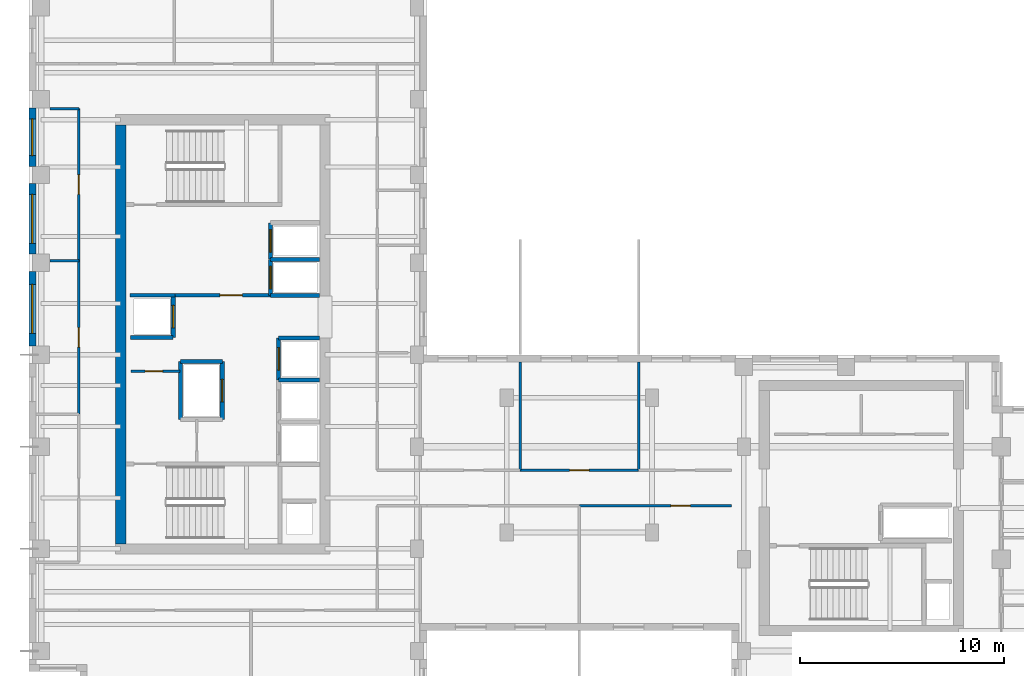
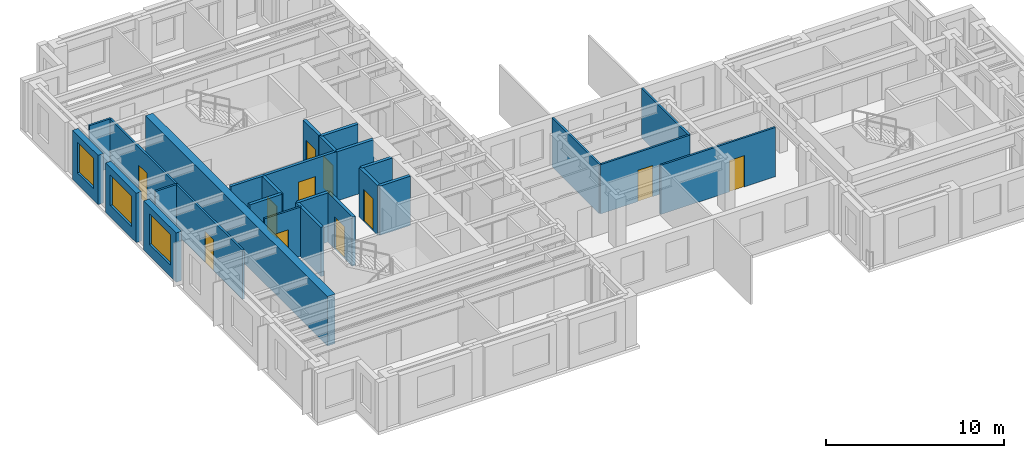
# One storey, part 4 of 10: 27 walls, 11 doors, 3 windows, 14 openings.
"""IFC4 building model written with IfcOpenShell, lengths in metres."""

from ifc_helpers import new_model, si_unit, direction, frame, frame_2d, origin, place, context, subcontext, project, spatial, rectangle, extrude, source, transform, mapped, material, layer, layer_set, type_object, element, fill, save


model = new_model("IFC4")

# Units and contexts
model_context = context("Model", 3, precision=1e-05, world=origin(), true_north=direction((0.0, 1.0)))
body_context = subcontext(model_context, "Body", "Model", "MODEL_VIEW")
ifc_project = project(units=[si_unit("LENGTHUNIT", "METRE"), si_unit("AREAUNIT", "SQUARE_METRE"), si_unit("VOLUMEUNIT", "CUBIC_METRE"), si_unit("PLANEANGLEUNIT", "RADIAN"), si_unit("MASSUNIT", "GRAM", prefix="KILO")], contexts=[model_context])

# Site, building, storey
site_placement = place(None, origin())
site = spatial("IfcSite", under=ifc_project, at=site_placement, CompositionType="ELEMENT")
building_placement = place(site_placement, origin())
building = spatial("IfcBuilding", under=site, at=building_placement, Name="Kharzan Plaza Tower", CompositionType="ELEMENT")
storey_placement = place(building_placement, frame((0.0, 0.0, 216.0)))
storey = spatial("IfcBuildingStorey", under=building, at=storey_placement, Name="L58", CompositionType="ELEMENT", Elevation=216.0)

# Wall, opening, window
ifc_material_1 = material(Name="Concrete C40/50", Category="concrete")
ifc_layer_1 = layer(ifc_material_1, 0.35009765625)
ifc_layer_set_1 = layer_set([ifc_layer_1], Name="Concrete C40/50")
wall_type_1 = type_object("IfcWallType", Name="WL-EXT-MAS-Z4", PredefinedType="SOLIDWALL", material=ifc_layer_set_1)
wall_1_placement = place(storey_placement, frame((0.175048828125, 30.076904296875, 0.0), z_axis=(0.0, 0.0, 1.0), x_axis=(0.0, -1.0, 0.0)))
wall_1 = element("IfcWall", 1, at=wall_1_placement, inside=storey, type_object=wall_type_1, Name="L58 Masonry-Frame Exterior Wall 11", PredefinedType="SOLIDWALL", context=body_context, shape_type="SweptSolid", body=[
    extrude(rectangle(XDim=2.85400390625, YDim=0.35009765625, at=frame_2d((1.427001953125, 0.0))), origin(), (0.0, 0.0, 1.0), 3.385009765625),
])
opening_1_placement = place(wall_1_placement, frame((0.527099609375, 0.0, 0.780029296875)))
opening_1 = element("IfcOpeningElement", 2, at=opening_1_placement, cuts=wall_1, Name="Opening W1", PredefinedType="OPENING", context=body_context, shape_type="SweptSolid", body=[
    extrude(rectangle(XDim=1.800048828125, YDim=2.10009765625, at=frame_2d((0.89990234375, 1.050048828125))), frame((0.0, 0.18505859375, 0.0), z_axis=(0.0, -1.0, 0.0), x_axis=(1.0, 0.0, 0.0)), (0.0, 0.0, 1.0), 0.3701171875),
])
ifc_material_2 = material(Name="Low-E Double Glazing", Category="glass")
window_type_1 = type_object("IfcWindowType", Name="WN-REC-1800x2100", PartitioningType="SINGLE_PANEL", PredefinedType="WINDOW", material=ifc_material_2)
shared_shape_1 = source(origin(), body_context, "Body", "SweptSolid", [
    extrude(rectangle(XDim=1.800048828125, YDim=2.10009765625, at=frame_2d((0.89990234375, 1.050048828125))), frame((0.0, 0.030029296875, 0.0), z_axis=(0.0, -1.0, 0.0), x_axis=(1.0, 0.0, 0.0)), (0.0, 0.0, 1.0), 0.06005859375),
])
window_1_placement = place(opening_1_placement, origin())
window_1 = element("IfcWindow", 3, at=window_1_placement, inside=storey, type_object=window_type_1, Name="L58 Recessed Solar-Control Window 11-1", OverallHeight=2.10009765625, OverallWidth=1.800048828125, PartitioningType="SINGLE_PANEL", PredefinedType="WINDOW", context=body_context, shape_type="MappedRepresentation", body=[
    mapped(shared_shape_1, transform((0.0, 0.0, 0.0), x_axis=(1.0, 0.0, 0.0), y_axis=(0.0, 1.0, 0.0), z_axis=(0.0, 0.0, 1.0))),
])
fill(opening_1, window_1)

wall_2_placement = place(storey_placement, frame((0.175048828125, 26.376953125, 0.0), z_axis=(0.0, 0.0, 1.0), x_axis=(0.0, -1.0, 0.0)))
wall_2 = element("IfcWall", 4, at=wall_2_placement, inside=storey, type_object=wall_type_1, Name="L58 Masonry-Frame Exterior Wall 12", PredefinedType="SOLIDWALL", context=body_context, shape_type="SweptSolid", body=[
    extrude(rectangle(XDim=3.453857421875, YDim=0.35009765625, at=frame_2d((1.72705078125, 0.0))), origin(), (0.0, 0.0, 1.0), 3.385009765625),
])
opening_2_placement = place(wall_2_placement, frame((0.527099609375, 0.0, 0.780029296875)))
opening_2 = element("IfcOpeningElement", 5, at=opening_2_placement, cuts=wall_2, Name="Opening W2", PredefinedType="OPENING", context=body_context, shape_type="SweptSolid", body=[
    extrude(rectangle(XDim=2.39990234375, YDim=2.10009765625, at=frame_2d((1.199951171875, 1.050048828125))), frame((0.0, 0.18505859375, 0.0), z_axis=(0.0, -1.0, 0.0), x_axis=(1.0, 0.0, 0.0)), (0.0, 0.0, 1.0), 0.3701171875),
])
window_type_2 = type_object("IfcWindowType", Name="WN-REC-2400x2100", PartitioningType="SINGLE_PANEL", PredefinedType="WINDOW", material=ifc_material_2)
shared_shape_2 = source(origin(), body_context, "Body", "SweptSolid", [
    extrude(rectangle(XDim=2.39990234375, YDim=2.10009765625, at=frame_2d((1.199951171875, 1.050048828125))), frame((0.0, 0.030029296875, 0.0), z_axis=(0.0, -1.0, 0.0), x_axis=(1.0, 0.0, 0.0)), (0.0, 0.0, 1.0), 0.06005859375),
])
window_2_placement = place(opening_2_placement, origin())
window_2 = element("IfcWindow", 6, at=window_2_placement, inside=storey, type_object=window_type_2, Name="L58 Wide Recessed Solar-Control Window 12-1", OverallHeight=2.10009765625, OverallWidth=2.39990234375, PartitioningType="SINGLE_PANEL", PredefinedType="WINDOW", context=body_context, shape_type="MappedRepresentation", body=[
    mapped(shared_shape_2, transform((0.0, 0.0, 0.0), x_axis=(1.0, 0.0, 0.0), y_axis=(0.0, 1.0, 0.0), z_axis=(0.0, 0.0, 1.0))),
])
fill(opening_2, window_2)

wall_3_placement = place(storey_placement, frame((0.175048828125, 22.076904296875, 0.0), z_axis=(0.0, 0.0, 1.0), x_axis=(0.0, -1.0, 0.0)))
wall_3 = element("IfcWall", 7, at=wall_3_placement, inside=storey, type_object=wall_type_1, Name="L58 Masonry-Frame Exterior Wall 13", PredefinedType="SOLIDWALL", context=body_context, shape_type="SweptSolid", body=[
    extrude(rectangle(XDim=3.65380859375, YDim=0.35009765625, at=frame_2d((1.826904296875, 0.0))), origin(), (0.0, 0.0, 1.0), 3.385009765625),
])
opening_3_placement = place(wall_3_placement, frame((0.626953125, 0.0, 0.780029296875)))
opening_3 = element("IfcOpeningElement", 8, at=opening_3_placement, cuts=wall_3, Name="Opening W2", PredefinedType="OPENING", context=body_context, shape_type="SweptSolid", body=[
    extrude(rectangle(XDim=2.39990234375, YDim=2.10009765625, at=frame_2d((1.199951171875, 1.050048828125))), frame((0.0, 0.18505859375, 0.0), z_axis=(0.0, -1.0, 0.0), x_axis=(1.0, 0.0, 0.0)), (0.0, 0.0, 1.0), 0.3701171875),
])
window_3_placement = place(opening_3_placement, origin())
window_3 = element("IfcWindow", 9, at=window_3_placement, inside=storey, type_object=window_type_2, Name="L58 Wide Recessed Solar-Control Window 13-1", OverallHeight=2.10009765625, OverallWidth=2.39990234375, PartitioningType="SINGLE_PANEL", PredefinedType="WINDOW", context=body_context, shape_type="MappedRepresentation", body=[
    mapped(shared_shape_2, transform((0.0, 0.0, 0.0), x_axis=(1.0, 0.0, 0.0), y_axis=(0.0, 1.0, 0.0), z_axis=(0.0, 0.0, 1.0))),
])
fill(opening_3, window_3)

# Wall, opening, door
ifc_layer_2 = layer(ifc_material_1, 0.179931640625)
ifc_layer_set_2 = layer_set([ifc_layer_2], Name="Concrete C40/50")
wall_type_2 = type_object("IfcWallType", Name="WL-INT-FIRE-180", PredefinedType="PARTITIONING", material=ifc_layer_set_2)
wall_4_placement = place(storey_placement, frame((7.14990234375, 20.919921875, 0.0), z_axis=(0.0, 0.0, 1.0), x_axis=(1.0, 0.0, 0.0)))
wall_4 = element("IfcWall", 10, at=wall_4_placement, inside=storey, type_object=wall_type_2, Name="L58 Interior Partition CA-FF-S", PredefinedType="PARTITIONING", context=body_context, shape_type="SweptSolid", body=[
    extrude(rectangle(XDim=4.68017578125, YDim=0.179931640625, at=frame_2d((2.340087890625, 0.0))), origin(), (0.0, 0.0, 1.0), 3.385009765625),
])
opening_4_placement = place(wall_4_placement, frame((2.199951171875, 0.0, 0.0)))
opening_4 = element("IfcOpeningElement", 11, at=opening_4_placement, cuts=wall_4, Name="Opening FD1", PredefinedType="OPENING", context=body_context, shape_type="SweptSolid", body=[
    extrude(rectangle(XDim=1.10009765625, YDim=2.14990234375, at=frame_2d((0.550048828125, 1.074951171875))), frame((0.0, 0.099853515625, 0.0), z_axis=(0.0, -1.0, 0.0), x_axis=(1.0, 0.0, 0.0)), (0.0, 0.0, 1.0), 0.199951171875),
])
ifc_material_3 = material(Name="Fire-Rated Acoustic Vision-Panel Steel", Category="steel")
door_type_1 = type_object("IfcDoorType", Name="DR-FIRE-LOBBY", OperationType="NOTDEFINED", PredefinedType="DOOR", material=ifc_material_3)
shared_shape_3 = source(origin(), body_context, "Body", "SweptSolid", [
    extrude(rectangle(XDim=1.10009765625, YDim=2.14990234375, at=frame_2d((0.550048828125, 1.074951171875))), frame((0.0, 0.02490234375, 0.0), z_axis=(0.0, -1.0, 0.0), x_axis=(1.0, 0.0, 0.0)), (0.0, 0.0, 1.0), 0.050048828125),
])
door_1_placement = place(opening_4_placement, origin())
door_1 = element("IfcDoor", 12, at=door_1_placement, inside=storey, type_object=door_type_1, Name="L58 Firefighting Lobby Door", OperationType="SINGLE_SWING_RIGHT", OverallHeight=2.14990234375, OverallWidth=1.10009765625, PredefinedType="DOOR", context=body_context, shape_type="MappedRepresentation", body=[
    mapped(shared_shape_3, transform((0.0, 0.0, 0.0), x_axis=(1.0, 0.0, 0.0), y_axis=(0.0, 1.0, 0.0), z_axis=(0.0, 0.0, 1.0))),
])
fill(opening_4, door_1)

ifc_material_4 = material(Name="Fire-Rated Gypsum Board Partition", Category="gypsum")
ifc_layer_3 = layer(ifc_material_4, 0.125)
ifc_layer_set_3 = layer_set([ifc_layer_3], Name="Fire-Rated Gypsum Board Partition")
wall_type_3 = type_object("IfcWallType", Name="WL-INT-PART-125", PredefinedType="PARTITIONING", material=ifc_layer_set_3)
wall_5_placement = place(storey_placement, frame((5.0, 17.199951171875, 0.0), z_axis=(0.0, 0.0, 1.0), x_axis=(1.0, 0.0, 0.0)))
wall_5 = element("IfcWall", 13, at=wall_5_placement, inside=storey, type_object=wall_type_3, Name="L58 Interior Partition CA-K1N2", PredefinedType="PARTITIONING", context=body_context, shape_type="SweptSolid", body=[
    extrude(rectangle(XDim=2.39990234375, YDim=0.125, at=frame_2d((1.199951171875, 0.0))), origin(), (0.0, 0.0, 1.0), 3.385009765625),
])
opening_5_placement = place(wall_5_placement, frame((0.699951171875, 0.0, 0.0)))
opening_5 = element("IfcOpeningElement", 14, at=opening_5_placement, cuts=wall_5, Name="Opening RD1", PredefinedType="OPENING", context=body_context, shape_type="SweptSolid", body=[
    extrude(rectangle(XDim=0.85009765625, YDim=2.10009765625, at=frame_2d((0.425048828125, 1.050048828125))), frame((0.0, 0.072509765625, 0.0), z_axis=(0.0, -1.0, 0.0), x_axis=(1.0, 0.0, 0.0)), (0.0, 0.0, 1.0), 0.14501953125),
])
ifc_material_5 = material(Name="Powder-Coated Fire-Rated Steel", Category="steel")
door_type_2 = type_object("IfcDoorType", Name="DR-RISER-900", OperationType="NOTDEFINED", PredefinedType="DOOR", material=ifc_material_5)
shared_shape_4 = source(origin(), body_context, "Body", "SweptSolid", [
    extrude(rectangle(XDim=0.85009765625, YDim=2.10009765625, at=frame_2d((0.425048828125, 1.050048828125))), frame((0.0, 0.02490234375, 0.0), z_axis=(0.0, -1.0, 0.0), x_axis=(1.0, 0.0, 0.0)), (0.0, 0.0, 1.0), 0.050048828125),
])
door_2_placement = place(opening_5_placement, origin())
door_2 = element("IfcDoor", 15, at=door_2_placement, inside=storey, type_object=door_type_2, Name="L58 Core Storage Room Door", OperationType="SINGLE_SWING_LEFT", OverallHeight=2.10009765625, OverallWidth=0.85009765625, PredefinedType="DOOR", context=body_context, shape_type="MappedRepresentation", body=[
    mapped(shared_shape_4, transform((0.0, 0.0, 0.0), x_axis=(1.0, 0.0, 0.0), y_axis=(0.0, 1.0, 0.0), z_axis=(0.0, 0.0, 1.0))),
])
fill(opening_5, door_2)

wall_6_placement = place(storey_placement, frame((24.050048828125, 12.35009765625, 0.0), z_axis=(0.0, 0.0, 1.0), x_axis=(1.0, 0.0, 0.0)))
wall_6 = element("IfcWall", 16, at=wall_6_placement, inside=storey, type_object=wall_type_3, Name="L58 Interior Partition SH-SPNM", PredefinedType="PARTITIONING", context=body_context, shape_type="SweptSolid", body=[
    extrude(rectangle(XDim=5.800048828125, YDim=0.125, at=frame_2d((2.89990234375, 0.0))), origin(), (0.0, 0.0, 1.0), 3.385009765625),
])
opening_6_placement = place(wall_6_placement, frame((2.425048828125, 0.0, 0.0)))
opening_6 = element("IfcOpeningElement", 17, at=opening_6_placement, cuts=wall_6, Name="Opening OD1", PredefinedType="OPENING", context=body_context, shape_type="SweptSolid", body=[
    extrude(rectangle(XDim=0.949951171875, YDim=2.14990234375, at=frame_2d((0.47509765625, 1.074951171875))), frame((0.0, 0.072509765625, 0.0), z_axis=(0.0, -1.0, 0.0), x_axis=(1.0, 0.0, 0.0)), (0.0, 0.0, 1.0), 0.14501953125),
])
ifc_material_6 = material(Name="Acoustic Solid-Core Stained Oak", Category="timber")
door_type_3 = type_object("IfcDoorType", Name="DR-OFF-SINGLE", OperationType="NOTDEFINED", PredefinedType="DOOR", material=ifc_material_6)
shared_shape_5 = source(origin(), body_context, "Body", "SweptSolid", [
    extrude(rectangle(XDim=0.949951171875, YDim=2.14990234375, at=frame_2d((0.47509765625, 1.074951171875))), frame((0.0, 0.02490234375, 0.0), z_axis=(0.0, -1.0, 0.0), x_axis=(1.0, 0.0, 0.0)), (0.0, 0.0, 1.0), 0.050048828125),
])
door_3_placement = place(opening_6_placement, origin())
door_3 = element("IfcDoor", 18, at=door_3_placement, inside=storey, type_object=door_type_3, Name="L58 Reclaimed Spine Door", OperationType="SINGLE_SWING_LEFT", OverallHeight=2.14990234375, OverallWidth=0.949951171875, PredefinedType="DOOR", context=body_context, shape_type="MappedRepresentation", body=[
    mapped(shared_shape_5, transform((0.0, 0.0, 0.0), x_axis=(1.0, 0.0, 0.0), y_axis=(0.0, 1.0, 0.0), z_axis=(0.0, 0.0, 1.0))),
])
fill(opening_6, door_3)

wall_7_placement = place(storey_placement, frame((26.949951171875, 10.60009765625, 0.0), z_axis=(0.0, 0.0, 1.0), x_axis=(1.0, 0.0, 0.0)))
wall_7 = element("IfcWall", 19, at=wall_7_placement, inside=storey, type_object=wall_type_3, Name="L58 Interior Partition SH-SPS2", PredefinedType="PARTITIONING", context=body_context, shape_type="SweptSolid", body=[
    extrude(rectangle(XDim=7.449951171875, YDim=0.125, at=frame_2d((3.72509765625, 0.0))), origin(), (0.0, 0.0, 1.0), 3.385009765625),
])
opening_7_placement = place(wall_7_placement, frame((4.47802734375, 0.0, 0.0)))
opening_7 = element("IfcOpeningElement", 20, at=opening_7_placement, cuts=wall_7, Name="Opening OD1", PredefinedType="OPENING", context=body_context, shape_type="SweptSolid", body=[
    extrude(rectangle(XDim=0.949951171875, YDim=2.14990234375, at=frame_2d((0.47509765625, 1.074951171875))), frame((0.0, 0.072509765625, 0.0), z_axis=(0.0, -1.0, 0.0), x_axis=(1.0, 0.0, 0.0)), (0.0, 0.0, 1.0), 0.14501953125),
])
door_4_placement = place(opening_7_placement, origin())
door_4 = element("IfcDoor", 21, at=door_4_placement, inside=storey, type_object=door_type_3, Name="L58 South Spine East Door", OperationType="SINGLE_SWING_RIGHT", OverallHeight=2.14990234375, OverallWidth=0.949951171875, PredefinedType="DOOR", context=body_context, shape_type="MappedRepresentation", body=[
    mapped(shared_shape_5, transform((0.0, 0.0, 0.0), x_axis=(1.0, 0.0, 0.0), y_axis=(0.0, 1.0, 0.0), z_axis=(0.0, 0.0, 1.0))),
])
fill(opening_7, door_4)

wall_8_placement = place(storey_placement, frame((2.449951171875, 15.10009765625, 0.0), z_axis=(0.0, 0.0, 1.0), x_axis=(0.0, 1.0, 0.0)))
wall_8 = element("IfcWall", 22, at=wall_8_placement, inside=storey, type_object=wall_type_3, Name="L58 Interior Partition SH-WW-2", PredefinedType="PARTITIONING", context=body_context, shape_type="SweptSolid", body=[
    extrude(rectangle(XDim=7.5, YDim=0.125, at=frame_2d((3.75, 0.0))), origin(), (0.0, 0.0, 1.0), 3.385009765625),
])
opening_8_placement = place(wall_8_placement, frame((3.27490234375, 0.0, 0.0)))
opening_8 = element("IfcOpeningElement", 23, at=opening_8_placement, cuts=wall_8, Name="Opening OD1", PredefinedType="OPENING", context=body_context, shape_type="SweptSolid", body=[
    extrude(rectangle(XDim=0.949951171875, YDim=2.14990234375, at=frame_2d((0.47509765625, 1.074951171875))), frame((0.0, 0.072509765625, 0.0), z_axis=(0.0, -1.0, 0.0), x_axis=(1.0, 0.0, 0.0)), (0.0, 0.0, 1.0), 0.14501953125),
])
door_5_placement = place(opening_8_placement, origin())
door_5 = element("IfcDoor", 24, at=door_5_placement, inside=storey, type_object=door_type_3, Name="L58 Client Briefing Room Door", OperationType="SINGLE_SWING_LEFT", OverallHeight=2.14990234375, OverallWidth=0.949951171875, PredefinedType="DOOR", context=body_context, shape_type="MappedRepresentation", body=[
    mapped(shared_shape_5, transform((0.0, 0.0, 0.0), x_axis=(1.0, 0.0, 0.0), y_axis=(0.0, 1.0, 0.0), z_axis=(0.0, 0.0, 1.0))),
])
fill(opening_8, door_5)

wall_9_placement = place(storey_placement, frame((2.449951171875, 22.60009765625, 0.0), z_axis=(0.0, 0.0, 1.0), x_axis=(0.0, 1.0, 0.0)))
wall_9 = element("IfcWall", 25, at=wall_9_placement, inside=storey, type_object=wall_type_3, Name="L58 Interior Partition SH-WW-3", PredefinedType="PARTITIONING", context=body_context, shape_type="SweptSolid", body=[
    extrude(rectangle(XDim=7.449951171875, YDim=0.125, at=frame_2d((3.72509765625, 0.0))), origin(), (0.0, 0.0, 1.0), 3.385009765625),
])
opening_9_placement = place(wall_9_placement, frame((3.25, 0.0, 0.0)))
opening_9 = element("IfcOpeningElement", 26, at=opening_9_placement, cuts=wall_9, Name="Opening OD1", PredefinedType="OPENING", context=body_context, shape_type="SweptSolid", body=[
    extrude(rectangle(XDim=0.949951171875, YDim=2.14990234375, at=frame_2d((0.47509765625, 1.074951171875))), frame((0.0, 0.072509765625, 0.0), z_axis=(0.0, -1.0, 0.0), x_axis=(1.0, 0.0, 0.0)), (0.0, 0.0, 1.0), 0.14501953125),
])
door_6_placement = place(opening_9_placement, origin())
door_6 = element("IfcDoor", 27, at=door_6_placement, inside=storey, type_object=door_type_3, Name="L58 Executive Boardroom Door", OperationType="SINGLE_SWING_RIGHT", OverallHeight=2.14990234375, OverallWidth=0.949951171875, PredefinedType="DOOR", context=body_context, shape_type="MappedRepresentation", body=[
    mapped(shared_shape_5, transform((0.0, 0.0, 0.0), x_axis=(1.0, 0.0, 0.0), y_axis=(0.0, 1.0, 0.0), z_axis=(0.0, 0.0, 1.0))),
])
fill(opening_9, door_6)

ifc_layer_4 = layer(ifc_material_1, 0.199951171875)
ifc_layer_set_4 = layer_set([ifc_layer_4], Name="Concrete C40/50")
wall_type_4 = type_object("IfcWallType", Name="WL-INT-SHAFT-200", PredefinedType="PARTITIONING", material=ifc_layer_set_4)
wall_10_placement = place(storey_placement, frame((11.830078125, 20.89990234375, 0.0), z_axis=(0.0, 0.0, 1.0), x_axis=(0.0, 1.0, 0.0)))
wall_10 = element("IfcWall", 28, at=wall_10_placement, inside=storey, type_object=wall_type_4, Name="L58 Interior Partition SHF-FFL-1-W", PredefinedType="PARTITIONING", context=body_context, shape_type="SweptSolid", body=[
    extrude(rectangle(XDim=1.760009765625, YDim=0.199951171875, at=frame_2d((0.8798828125, 0.0))), origin(), (0.0, 0.0, 1.0), 3.385009765625),
])
opening_10_placement = place(wall_10_placement, frame((0.330078125, 0.0, 0.0)))
opening_10 = element("IfcOpeningElement", 29, at=opening_10_placement, cuts=wall_10, Name="Opening LD", PredefinedType="OPENING", context=body_context, shape_type="SweptSolid", body=[
    extrude(rectangle(XDim=1.10009765625, YDim=2.199951171875, at=frame_2d((0.550048828125, 1.10009765625))), frame((0.0, 0.10986328125, 0.0), z_axis=(0.0, -1.0, 0.0), x_axis=(1.0, 0.0, 0.0)), (0.0, 0.0, 1.0), 0.219970703125),
])
ifc_material_7 = material(Name="Brushed Stainless Steel", Category="steel")
door_type_4 = type_object("IfcDoorType", Name="DR-LIFT-SLIDE", OperationType="SLIDING_TO_LEFT", PredefinedType="DOOR", material=ifc_material_7)
shared_shape_6 = source(origin(), body_context, "Body", "SweptSolid", [
    extrude(rectangle(XDim=1.10009765625, YDim=2.199951171875, at=frame_2d((0.550048828125, 1.10009765625))), frame((0.0, 0.02490234375, 0.0), z_axis=(0.0, -1.0, 0.0), x_axis=(1.0, 0.0, 0.0)), (0.0, 0.0, 1.0), 0.050048828125),
])
door_7_placement = place(opening_10_placement, origin())
door_7 = element("IfcDoor", 30, at=door_7_placement, inside=storey, type_object=door_type_4, Name="L58 Firefighting Lift FFL-1 Sliding Landing Door", OperationType="SLIDING_TO_LEFT", OverallHeight=2.199951171875, OverallWidth=1.10009765625, PredefinedType="DOOR", context=body_context, shape_type="MappedRepresentation", body=[
    mapped(shared_shape_6, transform((0.0, 0.0, 0.0), x_axis=(1.0, 0.0, 0.0), y_axis=(0.0, 1.0, 0.0), z_axis=(0.0, 0.0, 1.0))),
])
fill(opening_10, door_7)

wall_11_placement = place(storey_placement, frame((11.830078125, 22.699951171875, 0.0), z_axis=(0.0, 0.0, 1.0), x_axis=(0.0, 1.0, 0.0)))
wall_11 = element("IfcWall", 31, at=wall_11_placement, inside=storey, type_object=wall_type_4, Name="L58 Interior Partition SHF-FFL-2-W", PredefinedType="PARTITIONING", context=body_context, shape_type="SweptSolid", body=[
    extrude(rectangle(XDim=1.760009765625, YDim=0.199951171875, at=frame_2d((0.8798828125, 0.0))), origin(), (0.0, 0.0, 1.0), 3.385009765625),
])
opening_11_placement = place(wall_11_placement, frame((0.330078125, 0.0, 0.0)))
opening_11 = element("IfcOpeningElement", 32, at=opening_11_placement, cuts=wall_11, Name="Opening LD", PredefinedType="OPENING", context=body_context, shape_type="SweptSolid", body=[
    extrude(rectangle(XDim=1.10009765625, YDim=2.199951171875, at=frame_2d((0.550048828125, 1.10009765625))), frame((0.0, 0.10986328125, 0.0), z_axis=(0.0, -1.0, 0.0), x_axis=(1.0, 0.0, 0.0)), (0.0, 0.0, 1.0), 0.219970703125),
])
door_8_placement = place(opening_11_placement, origin())
door_8 = element("IfcDoor", 33, at=door_8_placement, inside=storey, type_object=door_type_4, Name="L58 Firefighting Lift FFL-2 Sliding Landing Door", OperationType="SLIDING_TO_LEFT", OverallHeight=2.199951171875, OverallWidth=1.10009765625, PredefinedType="DOOR", context=body_context, shape_type="MappedRepresentation", body=[
    mapped(shared_shape_6, transform((0.0, 0.0, 0.0), x_axis=(1.0, 0.0, 0.0), y_axis=(0.0, 1.0, 0.0), z_axis=(0.0, 0.0, 1.0))),
])
fill(opening_11, door_8)

wall_12_placement = place(storey_placement, frame((12.22998046875, 16.77001953125, 0.0), z_axis=(0.0, 0.0, 1.0), x_axis=(0.0, 1.0, 0.0)))
wall_12 = element("IfcWall", 34, at=wall_12_placement, inside=storey, type_object=wall_type_4, Name="L58 Interior Partition SHF-PL-H3-W", PredefinedType="PARTITIONING", context=body_context, shape_type="SweptSolid", body=[
    extrude(rectangle(XDim=2.050048828125, YDim=0.199951171875, at=frame_2d((1.02490234375, 0.0))), origin(), (0.0, 0.0, 1.0), 3.385009765625),
])
opening_12_placement = place(wall_12_placement, frame((0.47509765625, 0.0, 0.0)))
opening_12 = element("IfcOpeningElement", 35, at=opening_12_placement, cuts=wall_12, Name="Opening LD", PredefinedType="OPENING", context=body_context, shape_type="SweptSolid", body=[
    extrude(rectangle(XDim=1.10009765625, YDim=2.199951171875, at=frame_2d((0.550048828125, 1.10009765625))), frame((0.0, 0.10986328125, 0.0), z_axis=(0.0, -1.0, 0.0), x_axis=(1.0, 0.0, 0.0)), (0.0, 0.0, 1.0), 0.219970703125),
])
door_9_placement = place(opening_12_placement, origin())
door_9 = element("IfcDoor", 36, at=door_9_placement, inside=storey, type_object=door_type_4, Name="L58 High-Rise Passenger Lift PL-H3 Sliding Landing Door", OperationType="SLIDING_TO_LEFT", OverallHeight=2.199951171875, OverallWidth=1.10009765625, PredefinedType="DOOR", context=body_context, shape_type="MappedRepresentation", body=[
    mapped(shared_shape_6, transform((0.0, 0.0, 0.0), x_axis=(1.0, 0.0, 0.0), y_axis=(0.0, 1.0, 0.0), z_axis=(0.0, 0.0, 1.0))),
])
fill(opening_12, door_9)

wall_13_placement = place(storey_placement, frame((7.070068359375, 18.840087890625, 0.0), z_axis=(0.0, 0.0, 1.0), x_axis=(0.0, 1.0, 0.0)))
wall_13 = element("IfcWall", 37, at=wall_13_placement, inside=storey, type_object=wall_type_4, Name="L58 Interior Partition SHF-PL-H4-E", PredefinedType="PARTITIONING", context=body_context, shape_type="SweptSolid", body=[
    extrude(rectangle(XDim=2.059814453125, YDim=0.199951171875, at=frame_2d((1.02978515625, 0.0))), origin(), (0.0, 0.0, 1.0), 3.385009765625),
])
opening_13_placement = place(wall_13_placement, frame((0.47998046875, 0.0, 0.0)))
opening_13 = element("IfcOpeningElement", 38, at=opening_13_placement, cuts=wall_13, Name="Opening LD", PredefinedType="OPENING", context=body_context, shape_type="SweptSolid", body=[
    extrude(rectangle(XDim=1.10009765625, YDim=2.199951171875, at=frame_2d((0.550048828125, 1.10009765625))), frame((0.0, 0.10986328125, 0.0), z_axis=(0.0, -1.0, 0.0), x_axis=(1.0, 0.0, 0.0)), (0.0, 0.0, 1.0), 0.219970703125),
])
door_10_placement = place(opening_13_placement, origin())
door_10 = element("IfcDoor", 39, at=door_10_placement, inside=storey, type_object=door_type_4, Name="L58 High-Rise Passenger Lift PL-H4 Sliding Landing Door", OperationType="SLIDING_TO_LEFT", OverallHeight=2.199951171875, OverallWidth=1.10009765625, PredefinedType="DOOR", context=body_context, shape_type="MappedRepresentation", body=[
    mapped(shared_shape_6, transform((0.0, 0.0, 0.0), x_axis=(1.0, 0.0, 0.0), y_axis=(0.0, 1.0, 0.0), z_axis=(0.0, 0.0, 1.0))),
])
fill(opening_13, door_10)

wall_14_placement = place(storey_placement, frame((9.469970703125, 14.830078125, 0.0), z_axis=(0.0, 0.0, 1.0), x_axis=(0.0, 1.0, 0.0)))
wall_14 = element("IfcWall", 40, at=wall_14_placement, inside=storey, type_object=wall_type_4, Name="L58 Interior Partition SHF-SVL-1-E", PredefinedType="PARTITIONING", context=body_context, shape_type="SweptSolid", body=[
    extrude(rectangle(XDim=2.83984375, YDim=0.199951171875, at=frame_2d((1.419921875, 0.0))), origin(), (0.0, 0.0, 1.0), 3.385009765625),
])
opening_14_placement = place(wall_14_placement, frame((0.8701171875, 0.0, 0.0)))
opening_14 = element("IfcOpeningElement", 41, at=opening_14_placement, cuts=wall_14, Name="Opening LD", PredefinedType="OPENING", context=body_context, shape_type="SweptSolid", body=[
    extrude(rectangle(XDim=1.10009765625, YDim=2.199951171875, at=frame_2d((0.550048828125, 1.10009765625))), frame((0.0, 0.10986328125, 0.0), z_axis=(0.0, -1.0, 0.0), x_axis=(1.0, 0.0, 0.0)), (0.0, 0.0, 1.0), 0.219970703125),
])
door_11_placement = place(opening_14_placement, origin())
door_11 = element("IfcDoor", 42, at=door_11_placement, inside=storey, type_object=door_type_4, Name="L58 Service Lift SVL-1 Sliding Landing Door", OperationType="SLIDING_TO_LEFT", OverallHeight=2.199951171875, OverallWidth=1.10009765625, PredefinedType="DOOR", context=body_context, shape_type="MappedRepresentation", body=[
    mapped(shared_shape_6, transform((0.0, 0.0, 0.0), x_axis=(1.0, 0.0, 0.0), y_axis=(0.0, 1.0, 0.0), z_axis=(0.0, 0.0, 1.0))),
])
fill(opening_14, door_11)

# Walls
shared_shape_7 = source(origin(), body_context, "Body", "SweptSolid", [
    extrude(rectangle(XDim=2.199951171875, YDim=0.179931640625, at=frame_2d((1.10009765625, 0.0))), origin(), (0.0, 0.0, 1.0), 3.385009765625),
])
wall_15_placement = place(storey_placement, frame((4.949951171875, 20.919921875, 0.0), z_axis=(0.0, 0.0, 1.0), x_axis=(1.0, 0.0, 0.0)))
element("IfcWall", 43, at=wall_15_placement, inside=storey, type_object=wall_type_2, Name="L58 Interior Partition CA-FF-SW", PredefinedType="PARTITIONING", context=body_context, shape_type="MappedRepresentation", body=[
    mapped(shared_shape_7, transform((0.0, 0.0, 0.0), x_axis=(1.0, 0.0, 0.0), y_axis=(0.0, 1.0, 0.0), z_axis=(0.0, 0.0, 1.0))),
])
shared_shape_8 = source(origin(), body_context, "Body", "SweptSolid", [
    extrude(rectangle(XDim=2.090087890625, YDim=0.199951171875, at=frame_2d((1.044921875, 0.0))), origin(), (0.0, 0.0, 1.0), 3.385009765625),
])
wall_16_placement = place(storey_placement, frame((4.97998046875, 18.840087890625, 0.0), z_axis=(0.0, 0.0, 1.0), x_axis=(1.0, 0.0, 0.0)))
element("IfcWall", 44, at=wall_16_placement, inside=storey, type_object=wall_type_4, Name="L58 Interior Partition SHF-PL-H4-S", PredefinedType="PARTITIONING", context=body_context, shape_type="MappedRepresentation", body=[
    mapped(shared_shape_8, transform((0.0, 0.0, 0.0), x_axis=(1.0, 0.0, 0.0), y_axis=(0.0, 1.0, 0.0), z_axis=(0.0, 0.0, 1.0))),
])
shared_shape_9 = source(origin(), body_context, "Body", "SweptSolid", [
    extrude(rectangle(XDim=2.0400390625, YDim=0.199951171875, at=frame_2d((1.02001953125, 0.0))), origin(), (0.0, 0.0, 1.0), 3.385009765625),
])
wall_17_placement = place(storey_placement, frame((7.429931640625, 17.669921875, 0.0), z_axis=(0.0, 0.0, 1.0), x_axis=(1.0, 0.0, 0.0)))
element("IfcWall", 45, at=wall_17_placement, inside=storey, type_object=wall_type_4, Name="L58 Interior Partition SHF-SVL-1-N", PredefinedType="PARTITIONING", context=body_context, shape_type="MappedRepresentation", body=[
    mapped(shared_shape_9, transform((0.0, 0.0, 0.0), x_axis=(1.0, 0.0, 0.0), y_axis=(0.0, 1.0, 0.0), z_axis=(0.0, 0.0, 1.0))),
])
shared_shape_10 = source(origin(), body_context, "Body", "SweptSolid", [
    extrude(rectangle(XDim=2.83984375, YDim=0.199951171875, at=frame_2d((1.419921875, 0.0))), origin(), (0.0, 0.0, 1.0), 3.385009765625),
])
wall_18_placement = place(storey_placement, frame((7.429931640625, 14.830078125, 0.0), z_axis=(0.0, 0.0, 1.0), x_axis=(0.0, 1.0, 0.0)))
element("IfcWall", 46, at=wall_18_placement, inside=storey, type_object=wall_type_4, Name="L58 Interior Partition SHF-SVL-1-W", PredefinedType="PARTITIONING", context=body_context, shape_type="MappedRepresentation", body=[
    mapped(shared_shape_10, transform((0.0, 0.0, 0.0), x_axis=(1.0, 0.0, 0.0), y_axis=(0.0, 1.0, 0.0), z_axis=(0.0, 0.0, 1.0))),
])
shared_shape_11 = source(origin(), body_context, "Body", "SweptSolid", [
    extrude(rectangle(XDim=5.2978515625, YDim=0.125, at=frame_2d((2.64892578125, 0.0))), origin(), (0.0, 0.0, 1.0), 3.385009765625),
])
for number, where, z_axis, x_axis, name in (
    (47, (24.050048828125, 12.35009765625, 0.0), (0.0, 0.0, 1.0), (0.0, 1.0, 0.0), "L58 Interior Partition SH-SPML-S1"),
    (48, (29.85009765625, 12.35009765625, 0.0), (0.0, 0.0, 1.0), (0.0, 1.0, 0.0), "L58 Interior Partition SH-SPMR-S1"),
):
    element("IfcWall", number, at=place(storey_placement, frame(where, z_axis=z_axis, x_axis=x_axis)), inside=storey, type_object=wall_type_3, Name=name, PredefinedType="PARTITIONING", context=body_context, shape_type="MappedRepresentation", body=[
        mapped(shared_shape_11, transform((0.0, 0.0, 0.0), x_axis=(1.0, 0.0, 0.0), y_axis=(0.0, 1.0, 0.0), z_axis=(0.0, 0.0, 1.0))),
    ])
shared_shape_12 = source(origin(), body_context, "Body", "SweptSolid", [
    extrude(rectangle(XDim=2.389892578125, YDim=0.199951171875, at=frame_2d((1.19482421875, 0.0))), origin(), (0.0, 0.0, 1.0), 3.385009765625),
])
for number, where, z_axis, x_axis, name in (
    (49, (11.830078125, 22.659912109375, 0.0), (0.0, 0.0, 1.0), (1.0, 0.0, 0.0), "L58 Interior Partition SHF-FFL-1-N"),
    (50, (11.830078125, 20.89990234375, 0.0), (0.0, 0.0, 1.0), (1.0, 0.0, 0.0), "L58 Interior Partition SHF-FFL-1-S"),
):
    element("IfcWall", number, at=place(storey_placement, frame(where, z_axis=z_axis, x_axis=x_axis)), inside=storey, type_object=wall_type_4, Name=name, PredefinedType="PARTITIONING", context=body_context, shape_type="MappedRepresentation", body=[
        mapped(shared_shape_12, transform((0.0, 0.0, 0.0), x_axis=(1.0, 0.0, 0.0), y_axis=(0.0, 1.0, 0.0), z_axis=(0.0, 0.0, 1.0))),
    ])
shared_shape_13 = source(origin(), body_context, "Body", "SweptSolid", [
    extrude(rectangle(XDim=1.989990234375, YDim=0.199951171875, at=frame_2d((0.9951171875, 0.0))), origin(), (0.0, 0.0, 1.0), 3.385009765625),
])
for number, where, z_axis, x_axis, name in (
    (51, (12.22998046875, 16.77001953125, 0.0), (0.0, 0.0, 1.0), (1.0, 0.0, 0.0), "L58 Interior Partition SHF-PL-H2-N"),
    (52, (12.22998046875, 18.820068359375, 0.0), (0.0, 0.0, 1.0), (1.0, 0.0, 0.0), "L58 Interior Partition SHF-PL-H3-N"),
):
    element("IfcWall", number, at=place(storey_placement, frame(where, z_axis=z_axis, x_axis=x_axis)), inside=storey, type_object=wall_type_4, Name=name, PredefinedType="PARTITIONING", context=body_context, shape_type="MappedRepresentation", body=[
        mapped(shared_shape_13, transform((0.0, 0.0, 0.0), x_axis=(1.0, 0.0, 0.0), y_axis=(0.0, 1.0, 0.0), z_axis=(0.0, 0.0, 1.0))),
    ])
ifc_material_8 = material(Name="Concrete C50/60", Category="concrete")
ifc_layer_5 = layer(ifc_material_8, 0.5)
ifc_layer_set_5 = layer_set([ifc_layer_5], Name="Concrete C50/60")
wall_type_5 = type_object("IfcWallType", Name="WL-CORE-500", PredefinedType="SHEAR", material=ifc_layer_set_5)
shared_shape_14 = source(origin(), body_context, "Body", "SweptSolid", [
    extrude(rectangle(XDim=20.5, YDim=0.5, at=frame_2d((10.25, 0.0))), origin(), (0.0, 0.0, 1.0), 3.39990234375),
])
wall_19_placement = place(storey_placement, frame((4.5, 8.75, 0.0), z_axis=(0.0, 0.0, 1.0), x_axis=(0.0, 1.0, 0.0)))
element("IfcWall", 53, at=wall_19_placement, inside=storey, type_object=wall_type_5, Name="L58 CORE-A west RC shear wall", PredefinedType="SHEAR", context=body_context, shape_type="MappedRepresentation", body=[
    mapped(shared_shape_14, transform((0.0, 0.0, 0.0), x_axis=(1.0, 0.0, 0.0), y_axis=(0.0, 1.0, 0.0), z_axis=(0.0, 0.0, 1.0))),
])
shared_shape_15 = source(origin(), body_context, "Body", "SweptSolid", [
    extrude(rectangle(XDim=1.39990234375, YDim=0.125, at=frame_2d((0.699951171875, 0.0))), origin(), (0.0, 0.0, 1.0), 3.385009765625),
])
for number, where, z_axis, x_axis, name in (
    (54, (1.050048828125, 30.050048828125, 0.0), (0.0, 0.0, 1.0), (1.0, 0.0, 0.0), "L58 Interior Partition SH-RWN0"),
    (55, (1.050048828125, 22.60009765625, 0.0), (0.0, 0.0, 1.0), (1.0, 0.0, 0.0), "L58 Interior Partition SH-WH-2"),
):
    element("IfcWall", number, at=place(storey_placement, frame(where, z_axis=z_axis, x_axis=x_axis)), inside=storey, type_object=wall_type_3, Name=name, PredefinedType="PARTITIONING", context=body_context, shape_type="MappedRepresentation", body=[
        mapped(shared_shape_15, transform((0.0, 0.0, 0.0), x_axis=(1.0, 0.0, 0.0), y_axis=(0.0, 1.0, 0.0), z_axis=(0.0, 0.0, 1.0))),
    ])

save(model, "model.ifc")
